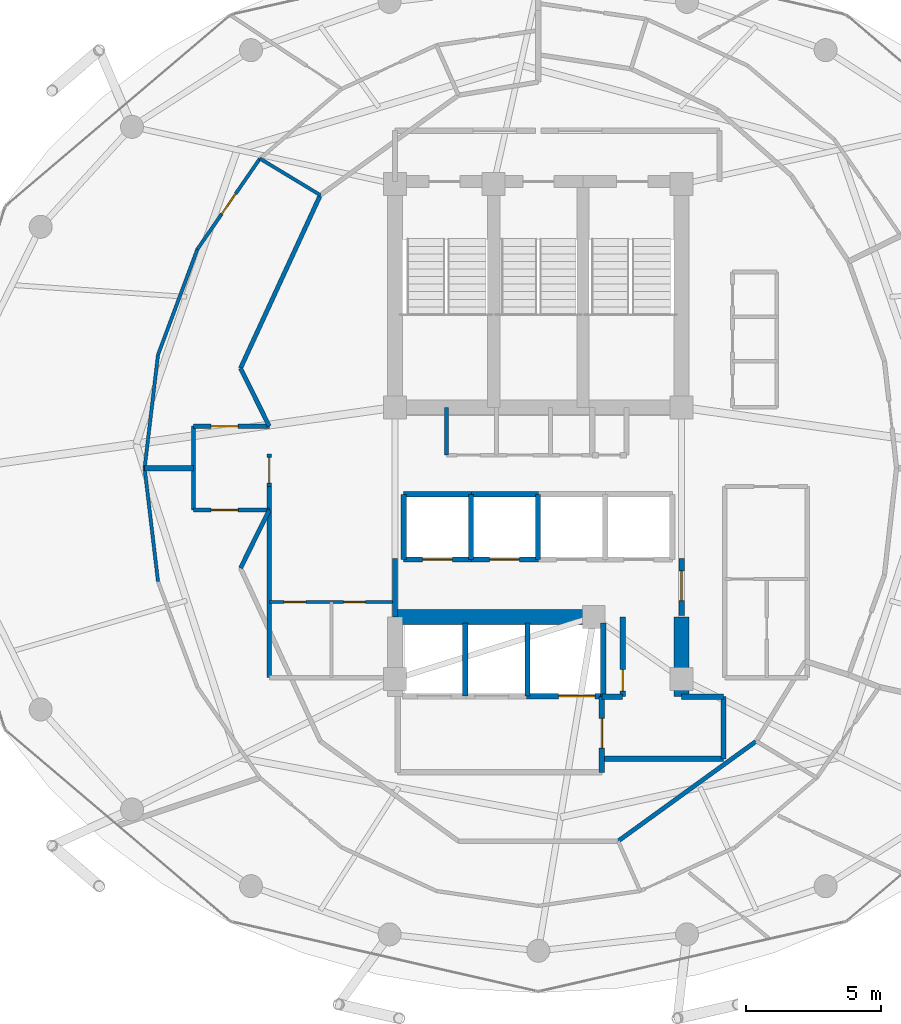
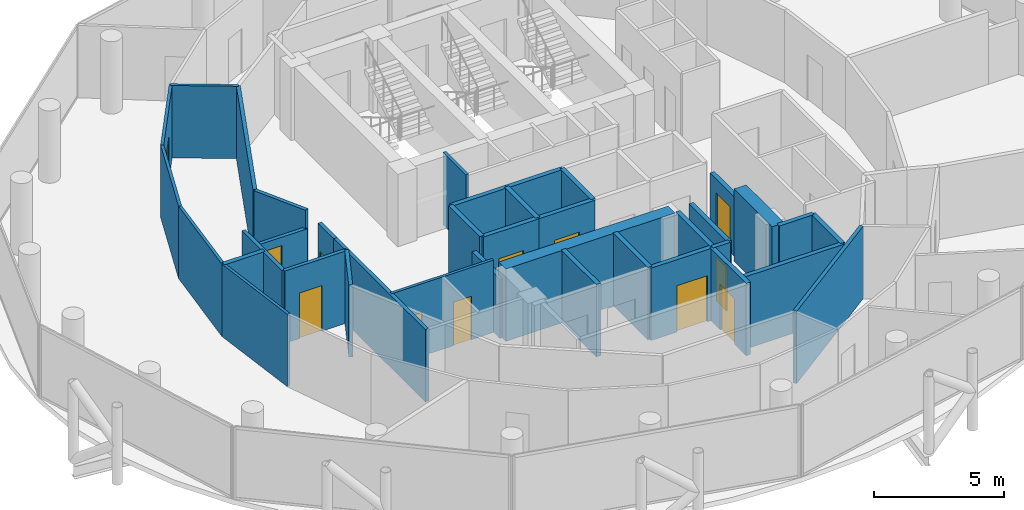
# One storey, part 23 of 27: 38 walls, 12 doors, 12 openings.
"""IFC4 building model written with IfcOpenShell, lengths in metres."""

from ifc_helpers import new_model, si_unit, direction, frame, frame_2d, origin, place, context, subcontext, project, spatial, rectangle, extrude, material, layer, layer_set, type_object, element, fill, save


model = new_model("IFC4")

# Units and contexts
model_context = context("Model", 3, precision=1e-05, world=origin(), true_north=direction((0.0, 1.0)))
body_context = subcontext(model_context, "Body", "Model", "MODEL_VIEW")
ifc_project = project(units=[si_unit("LENGTHUNIT", "METRE"), si_unit("AREAUNIT", "SQUARE_METRE"), si_unit("VOLUMEUNIT", "CUBIC_METRE"), si_unit("PLANEANGLEUNIT", "RADIAN"), si_unit("MASSUNIT", "GRAM", prefix="KILO")], contexts=[model_context])

# Site, building, storey
site_placement = place(None, origin())
site = spatial("IfcSite", under=ifc_project, at=site_placement, CompositionType="ELEMENT")
building_placement = place(site_placement, origin())
building = spatial("IfcBuilding", under=site, at=building_placement, Name="Nuhasar Tower", CompositionType="ELEMENT")
storey_placement = place(building_placement, frame((0.0, 0.0, 230.050048828125)))
storey = spatial("IfcBuildingStorey", under=building, at=storey_placement, Name="L56", CompositionType="ELEMENT", Elevation=230.050048828125)

# Walls
ifc_material_1 = material(Name="Concrete C55/67", Category="concrete")
ifc_layer_1 = layer(ifc_material_1, 0.550048828125)
ifc_layer_set_1 = layer_set([ifc_layer_1], Name="Concrete C55/67")
wall_type_1 = type_object("IfcWallType", Name="WL-CORE-550", PredefinedType="SHEAR", material=ifc_layer_set_1)
wall_1_placement = place(storey_placement, frame((44.300048828125, 18.35009765625, 0.0), z_axis=(0.0, 0.0, 1.0), x_axis=(0.0, 1.0, 0.0)))
element("IfcWall", 1, at=wall_1_placement, inside=storey, type_object=wall_type_1, Name="L56 Core Shear Wall CW-SE CW-550", PredefinedType="SHEAR", context=body_context, shape_type="SweptSolid", body=[
    extrude(rectangle(XDim=2.949951171875, YDim=0.550048828125, at=frame_2d((1.47509765625, 0.0))), origin(), (0.0, 0.0, 1.0), 3.409912109375),
])
wall_2_placement = place(storey_placement, frame((33.699951171875, 21.300048828125, 0.0), z_axis=(0.0, 0.0, 1.0), x_axis=(1.0, 0.0, 0.0)))
element("IfcWall", 2, at=wall_2_placement, inside=storey, type_object=wall_type_1, Name="L56 Core Shear Wall CW-S1 CW-550", PredefinedType="SHEAR", context=body_context, shape_type="SweptSolid", body=[
    extrude(rectangle(XDim=7.550048828125, YDim=0.550048828125, at=frame_2d((3.77490234375, 0.0))), origin(), (0.0, 0.0, 1.0), 3.409912109375),
])
ifc_material_2 = material(Name="Gypsum Board", Category="gypsum")
ifc_layer_2 = layer(ifc_material_2, 0.159912109375)
ifc_layer_set_2 = layer_set([ifc_layer_2], Name="Gypsum Board")
wall_type_2 = type_object("IfcWallType", Name="WL-CORR-160", PredefinedType="PARTITIONING", material=ifc_layer_set_2)
wall_3_placement = place(storey_placement, frame((29.050048828125, 19.050048828125, 0.0), z_axis=(0.0, 0.0, 1.0), x_axis=(0.0, 1.0, 0.0)))
element("IfcWall", 3, at=wall_3_placement, inside=storey, type_object=wall_type_2, Name="L56 Interior Partition RECL-B1-W", PredefinedType="PARTITIONING", context=body_context, shape_type="SweptSolid", body=[
    extrude(rectangle(XDim=7.070068359375, YDim=0.159912109375, at=frame_2d((3.53515625, 0.0))), origin(), (0.0, 0.0, 1.0), 3.409912109375),
])

# Wall, opening, door
wall_4_placement = place(storey_placement, frame((29.050048828125, 26.1201171875, 0.0), z_axis=(0.0, 0.0, 1.0), x_axis=(0.0, 1.0, 0.0)))
wall_4 = element("IfcWall", 4, at=wall_4_placement, inside=storey, type_object=wall_type_2, Name="L56 Interior Partition WVEST-E", PredefinedType="PARTITIONING", context=body_context, shape_type="SweptSolid", body=[
    extrude(rectangle(XDim=1.199951171875, YDim=0.159912109375, at=frame_2d((0.60009765625, 0.0))), origin(), (0.0, 0.0, 1.0), 3.409912109375),
])
opening_1_placement = place(wall_4_placement, frame((0.125, 0.0, 0.0)))
opening_1 = element("IfcOpeningElement", 5, at=opening_1_placement, cuts=wall_4, Name="Opening DO-01", PredefinedType="OPENING", context=body_context, shape_type="SweptSolid", body=[
    extrude(rectangle(XDim=0.949951171875, YDim=2.14990234375, at=frame_2d((0.47509765625, 1.074951171875))), frame((0.0, 0.08984375, 0.0), z_axis=(0.0, -1.0, 0.0), x_axis=(1.0, 0.0, 0.0)), (0.0, 0.0, 1.0), 0.179931640625),
])
ifc_material_3 = material(Name="Timber Oak", Category="wood")
door_type_1 = type_object("IfcDoorType", Name="DR-OFFICE-FD30-950", OperationType="NOTDEFINED", PredefinedType="DOOR", material=ifc_material_3)
door_1_placement = place(opening_1_placement, origin())
door_1 = element("IfcDoor", 6, at=door_1_placement, inside=storey, type_object=door_type_1, Name="L56 West Arrival Foyer Core Door", OperationType="SINGLE_SWING_RIGHT", OverallHeight=2.14990234375, OverallWidth=0.949951171875, PredefinedType="DOOR", context=body_context, shape_type="SweptSolid", body=[
    extrude(rectangle(XDim=0.949951171875, YDim=2.14990234375, at=frame_2d((0.47509765625, 1.074951171875))), frame((0.0, 0.02490234375, 0.0), z_axis=(0.0, -1.0, 0.0), x_axis=(1.0, 0.0, 0.0)), (0.0, 0.0, 1.0), 0.050048828125),
])
fill(opening_1, door_1)

# Walls
wall_5_placement = place(storey_placement, frame((30.93896484375, 36.89697265625, 0.0), z_axis=(0.0, 0.0, 1.0), x_axis=(-0.41866934876, -0.908138742929, 0.0)))
element("IfcWall", 7, at=wall_5_placement, inside=storey, type_object=wall_type_2, Name="L56 Interior Partition UWEST-CORE-N2-18", PredefinedType="PARTITIONING", context=body_context, shape_type="SweptSolid", body=[
    extrude(rectangle(XDim=7.04833984375, YDim=0.159912109375, at=frame_2d((3.524169921875, 0.0))), origin(), (0.0, 0.0, 1.0), 3.409912109375),
])
wall_6_placement = place(storey_placement, frame((41.950927734375, 13.007080078125, 0.0), z_axis=(0.0, 0.0, 1.0), x_axis=(0.810290119061, 0.586028943784, 0.0)))
element("IfcWall", 8, at=wall_6_placement, inside=storey, type_object=wall_type_2, Name="L56 Interior Partition UWEST-CORE-S1-38", PredefinedType="PARTITIONING", context=body_context, shape_type="SweptSolid", body=[
    extrude(rectangle(XDim=6.306396484375, YDim=0.159912109375, at=frame_2d((3.1533203125, 0.0))), origin(), (0.0, 0.0, 1.0), 3.409912109375),
])

# Wall, opening, door
wall_7_placement = place(storey_placement, frame((26.25, 28.35009765625, 0.0), z_axis=(0.0, 0.0, 1.0), x_axis=(1.0, 0.0, 0.0)))
wall_7 = element("IfcWall", 9, at=wall_7_placement, inside=storey, type_object=wall_type_2, Name="L56 Interior Partition WVEST-N", PredefinedType="PARTITIONING", context=body_context, shape_type="SweptSolid", body=[
    extrude(rectangle(XDim=2.800048828125, YDim=0.159912109375, at=frame_2d((1.39990234375, 0.0))), origin(), (0.0, 0.0, 1.0), 2.550048828125),
])
opening_2_placement = place(wall_7_placement, frame((0.64990234375, 0.0, 0.0)))
opening_2 = element("IfcOpeningElement", 10, at=opening_2_placement, cuts=wall_7, Name="Opening DU-02", PredefinedType="OPENING", context=body_context, shape_type="SweptSolid", body=[
    extrude(rectangle(XDim=1.0, YDim=2.14990234375, at=frame_2d((0.5, 1.074951171875))), frame((0.0, 0.08984375, 0.0), z_axis=(0.0, -1.0, 0.0), x_axis=(1.0, 0.0, 0.0)), (0.0, 0.0, 1.0), 0.179931640625),
])
door_type_2 = type_object("IfcDoorType", Name="DR-FLAT-FD60-1000", OperationType="NOTDEFINED", PredefinedType="DOOR", material=ifc_material_3)
door_2_placement = place(opening_2_placement, origin())
door_2 = element("IfcDoor", 11, at=door_2_placement, inside=storey, type_object=door_type_2, Name="L56 North-West Sky Home Entrance", OperationType="SINGLE_SWING_LEFT", OverallHeight=2.14990234375, OverallWidth=1.0, PredefinedType="DOOR", context=body_context, shape_type="SweptSolid", body=[
    extrude(rectangle(XDim=1.0, YDim=2.14990234375, at=frame_2d((0.5, 1.074951171875))), frame((0.0, 0.02490234375, 0.0), z_axis=(0.0, -1.0, 0.0), x_axis=(1.0, 0.0, 0.0)), (0.0, 0.0, 1.0), 0.050048828125),
])
fill(opening_2, door_2)

wall_8_placement = place(storey_placement, frame((26.25, 25.25, 0.0), z_axis=(0.0, 0.0, 1.0), x_axis=(1.0, 0.0, 0.0)))
wall_8 = element("IfcWall", 12, at=wall_8_placement, inside=storey, type_object=wall_type_2, Name="L56 Interior Partition WVEST-S", PredefinedType="PARTITIONING", context=body_context, shape_type="SweptSolid", body=[
    extrude(rectangle(XDim=2.800048828125, YDim=0.159912109375, at=frame_2d((1.39990234375, 0.0))), origin(), (0.0, 0.0, 1.0), 3.409912109375),
])
opening_3_placement = place(wall_8_placement, frame((0.64990234375, 0.0, 0.0)))
opening_3 = element("IfcOpeningElement", 13, at=opening_3_placement, cuts=wall_8, Name="Opening DU-02", PredefinedType="OPENING", context=body_context, shape_type="SweptSolid", body=[
    extrude(rectangle(XDim=1.0, YDim=2.14990234375, at=frame_2d((0.5, 1.074951171875))), frame((0.0, 0.08984375, 0.0), z_axis=(0.0, -1.0, 0.0), x_axis=(1.0, 0.0, 0.0)), (0.0, 0.0, 1.0), 0.179931640625),
])
door_3_placement = place(opening_3_placement, origin())
door_3 = element("IfcDoor", 14, at=door_3_placement, inside=storey, type_object=door_type_2, Name="L56 South-West Sky Home Entrance", OperationType="SINGLE_SWING_LEFT", OverallHeight=2.14990234375, OverallWidth=1.0, PredefinedType="DOOR", context=body_context, shape_type="SweptSolid", body=[
    extrude(rectangle(XDim=1.0, YDim=2.14990234375, at=frame_2d((0.5, 1.074951171875))), frame((0.0, 0.02490234375, 0.0), z_axis=(0.0, -1.0, 0.0), x_axis=(1.0, 0.0, 0.0)), (0.0, 0.0, 1.0), 0.050048828125),
])
fill(opening_3, door_3)

# Walls
wall_9_placement = place(storey_placement, frame((26.25, 25.25, 0.0), z_axis=(0.0, 0.0, 1.0), x_axis=(0.0, 1.0, 0.0)))
element("IfcWall", 15, at=wall_9_placement, inside=storey, type_object=wall_type_2, Name="L56 Interior Partition WVEST-W", PredefinedType="PARTITIONING", context=body_context, shape_type="SweptSolid", body=[
    extrude(rectangle(XDim=3.10009765625, YDim=0.159912109375, at=frame_2d((1.550048828125, 0.0))), origin(), (0.0, 0.0, 1.0), 3.409912109375),
])
for number, where, z_axis, x_axis, name in (
    (16, (27.988037109375, 30.49609375, 0.0), (0.0, 0.0, 1.0), (0.443539160525, -0.896254993337, 0.0), "L56 Interior Partition WVEST-CN"),
    (17, (27.988037109375, 23.10400390625, 0.0), (0.0, 0.0, 1.0), (0.443539160525, 0.896254993337, 0.0), "L56 Interior Partition WVEST-CS"),
):
    element("IfcWall", number, at=place(storey_placement, frame(where, z_axis=z_axis, x_axis=x_axis)), inside=storey, type_object=wall_type_2, Name=name, PredefinedType="PARTITIONING", context=body_context, shape_type="SweptSolid", body=[
        extrude(rectangle(XDim=2.394287109375, YDim=0.159912109375, at=frame_2d((1.197265625, 0.0))), origin(), (0.0, 0.0, 1.0), 3.409912109375),
    ])
ifc_material_4 = material(Name="Concrete C45/55", Category="concrete")
ifc_layer_3 = layer(ifc_material_4, 0.199951171875)
ifc_layer_set_3 = layer_set([ifc_layer_3], Name="Concrete C45/55")
wall_type_3 = type_object("IfcWallType", Name="WL-LOBBY-200", PredefinedType="SOLIDWALL", material=ifc_layer_set_3)
wall_10_placement = place(storey_placement, frame((33.699951171875, 21.300048828125, 0.0), z_axis=(0.0, 0.0, 1.0), x_axis=(0.0, 1.0, 0.0)))
element("IfcWall", 18, at=wall_10_placement, inside=storey, type_object=wall_type_3, Name="L56 Interior Partition LLBH-W", PredefinedType="SOLIDWALL", context=body_context, shape_type="SweptSolid", body=[
    extrude(rectangle(XDim=2.14990234375, YDim=0.199951171875, at=frame_2d((1.074951171875, 0.0))), origin(), (0.0, 0.0, 1.0), 2.794921875),
])

# Wall, opening, door
wall_11_placement = place(storey_placement, frame((44.300048828125, 21.35009765625, 0.0), z_axis=(0.0, 0.0, 1.0), x_axis=(0.0, 1.0, 0.0)))
wall_11 = element("IfcWall", 19, at=wall_11_placement, inside=storey, type_object=wall_type_3, Name="L56 Interior Partition LLBH-E", PredefinedType="SOLIDWALL", context=body_context, shape_type="SweptSolid", body=[
    extrude(rectangle(XDim=2.099853515625, YDim=0.199951171875, at=frame_2d((1.0498046875, 0.0))), origin(), (0.0, 0.0, 1.0), 2.794921875),
])
opening_4_placement = place(wall_11_placement, frame((0.550048828125, 0.0, 0.0)))
opening_4 = element("IfcOpeningElement", 20, at=opening_4_placement, cuts=wall_11, Name="Opening DS-02", PredefinedType="OPENING", context=body_context, shape_type="SweptSolid", body=[
    extrude(rectangle(XDim=1.10009765625, YDim=2.14990234375, at=frame_2d((0.550048828125, 1.074951171875))), frame((0.0, 0.10986328125, 0.0), z_axis=(0.0, -1.0, 0.0), x_axis=(1.0, 0.0, 0.0)), (0.0, 0.0, 1.0), 0.219970703125),
])
ifc_material_5 = material(Name="Steel S355", Category="steel")
door_type_3 = type_object("IfcDoorType", Name="DR-FFL-FD120-1100", OperationType="NOTDEFINED", PredefinedType="DOOR", material=ifc_material_5)
door_4_placement = place(opening_4_placement, origin())
door_4 = element("IfcDoor", 21, at=door_4_placement, inside=storey, type_object=door_type_3, Name="L56 High-Rise Lobby East Door", OperationType="SINGLE_SWING_RIGHT", OverallHeight=2.14990234375, OverallWidth=1.10009765625, PredefinedType="DOOR", context=body_context, shape_type="SweptSolid", body=[
    extrude(rectangle(XDim=1.10009765625, YDim=2.14990234375, at=frame_2d((0.550048828125, 1.074951171875))), frame((0.0, 0.02490234375, 0.0), z_axis=(0.0, -1.0, 0.0), x_axis=(1.0, 0.0, 0.0)), (0.0, 0.0, 1.0), 0.050048828125),
])
fill(opening_4, door_4)

wall_12_placement = place(storey_placement, frame((41.35009765625, 15.550048828125, 0.0), z_axis=(0.0, 0.0, 1.0), x_axis=(0.0, 1.0, 0.0)))
wall_12 = element("IfcWall", 22, at=wall_12_placement, inside=storey, type_object=wall_type_3, Name="L56 Interior Partition FFL-E", PredefinedType="SOLIDWALL", context=body_context, shape_type="SweptSolid", body=[
    extrude(rectangle(XDim=2.800048828125, YDim=0.199951171875, at=frame_2d((1.39990234375, 0.0))), origin(), (0.0, 0.0, 1.0), 3.409912109375),
])
opening_5_placement = place(wall_12_placement, frame((0.89990234375, 0.0, 0.0)))
opening_5 = element("IfcOpeningElement", 23, at=opening_5_placement, cuts=wall_12, Name="Opening DS-02", PredefinedType="OPENING", context=body_context, shape_type="SweptSolid", body=[
    extrude(rectangle(XDim=1.10009765625, YDim=2.14990234375, at=frame_2d((0.550048828125, 1.074951171875))), frame((0.0, 0.10986328125, 0.0), z_axis=(0.0, -1.0, 0.0), x_axis=(1.0, 0.0, 0.0)), (0.0, 0.0, 1.0), 0.219970703125),
])
door_5_placement = place(opening_5_placement, origin())
door_5 = element("IfcDoor", 24, at=door_5_placement, inside=storey, type_object=door_type_3, Name="L56 Firefighting Lobby Door", OperationType="SINGLE_SWING_RIGHT", OverallHeight=2.14990234375, OverallWidth=1.10009765625, PredefinedType="DOOR", context=body_context, shape_type="SweptSolid", body=[
    extrude(rectangle(XDim=1.10009765625, YDim=2.14990234375, at=frame_2d((0.550048828125, 1.074951171875))), frame((0.0, 0.02490234375, 0.0), z_axis=(0.0, -1.0, 0.0), x_axis=(1.0, 0.0, 0.0)), (0.0, 0.0, 1.0), 0.050048828125),
])
fill(opening_5, door_5)

# Walls
wall_13_placement = place(storey_placement, frame((41.35009765625, 16.050048828125, 0.0), z_axis=(0.0, 0.0, 1.0), x_axis=(1.0, 0.0, 0.0)))
element("IfcWall", 25, at=wall_13_placement, inside=storey, type_object=wall_type_3, Name="L56 Interior Partition SVLV-S", PredefinedType="SOLIDWALL", context=body_context, shape_type="SweptSolid", body=[
    extrude(rectangle(XDim=4.5, YDim=0.199951171875, at=frame_2d((2.25, 0.0))), origin(), (0.0, 0.0, 1.0), 3.409912109375),
])
wall_14_placement = place(storey_placement, frame((45.85009765625, 16.050048828125, 0.0), z_axis=(0.0, 0.0, 1.0), x_axis=(0.0, 1.0, 0.0)))
element("IfcWall", 26, at=wall_14_placement, inside=storey, type_object=wall_type_3, Name="L56 Interior Partition SVLV-E", PredefinedType="SOLIDWALL", context=body_context, shape_type="SweptSolid", body=[
    extrude(rectangle(XDim=2.300048828125, YDim=0.199951171875, at=frame_2d((1.14990234375, 0.0))), origin(), (0.0, 0.0, 1.0), 3.409912109375),
])
wall_15_placement = place(storey_placement, frame((44.300048828125, 18.35009765625, 0.0), z_axis=(0.0, 0.0, 1.0), x_axis=(1.0, 0.0, 0.0)))
element("IfcWall", 27, at=wall_15_placement, inside=storey, type_object=wall_type_3, Name="L56 Interior Partition SVLV-N", PredefinedType="SOLIDWALL", context=body_context, shape_type="SweptSolid", body=[
    extrude(rectangle(XDim=1.550048828125, YDim=0.199951171875, at=frame_2d((0.77490234375, 0.0))), origin(), (0.0, 0.0, 1.0), 3.409912109375),
])

# Wall, openings, doors
ifc_layer_4 = layer(ifc_material_2, 0.125)
ifc_layer_set_4 = layer_set([ifc_layer_4], Name="Gypsum Board")
wall_type_4 = type_object("IfcWallType", Name="WL-PART-125", PredefinedType="PARTITIONING", material=ifc_layer_set_4)
wall_16_placement = place(storey_placement, frame((33.60009765625, 21.85009765625, 0.0), z_axis=(0.0, 0.0, 1.0), x_axis=(-1.0, 0.0, 0.0)))
wall_16 = element("IfcWall", 28, at=wall_16_placement, inside=storey, type_object=wall_type_4, Name="L56 Interior Partition HKPK1-N", PredefinedType="PARTITIONING", context=body_context, shape_type="SweptSolid", body=[
    extrude(rectangle(XDim=4.550048828125, YDim=0.125, at=frame_2d((2.27490234375, 0.0))), origin(), (0.0, 0.0, 1.0), 3.409912109375),
])
opening_6_placement = place(wall_16_placement, frame((3.199951171875, 0.0, 0.0)))
opening_6 = element("IfcOpeningElement", 29, at=opening_6_placement, cuts=wall_16, Name="Opening DM-01", PredefinedType="OPENING", context=body_context, shape_type="SweptSolid", body=[
    extrude(rectangle(XDim=0.800048828125, YDim=2.050048828125, at=frame_2d((0.39990234375, 1.02490234375))), frame((0.0, 0.072509765625, 0.0), z_axis=(0.0, -1.0, 0.0), x_axis=(1.0, 0.0, 0.0)), (0.0, 0.0, 1.0), 0.14501953125),
])
opening_7_placement = place(wall_16_placement, frame((1.0, 0.0, 0.0)))
opening_7 = element("IfcOpeningElement", 30, at=opening_7_placement, cuts=wall_16, Name="Opening DM-01", PredefinedType="OPENING", context=body_context, shape_type="SweptSolid", body=[
    extrude(rectangle(XDim=0.800048828125, YDim=2.050048828125, at=frame_2d((0.39990234375, 1.02490234375))), frame((0.0, 0.072509765625, 0.0), z_axis=(0.0, -1.0, 0.0), x_axis=(1.0, 0.0, 0.0)), (0.0, 0.0, 1.0), 0.14501953125),
])
door_type_4 = type_object("IfcDoorType", Name="DR-RISER-FD60-800", OperationType="NOTDEFINED", PredefinedType="DOOR", material=ifc_material_5)
door_6_placement = place(opening_6_placement, origin())
door_6 = element("IfcDoor", 31, at=door_6_placement, inside=storey, type_object=door_type_4, Name="L56 Housekeeping Closet Door", OperationType="SINGLE_SWING_RIGHT", OverallHeight=2.050048828125, OverallWidth=0.800048828125, PredefinedType="DOOR", context=body_context, shape_type="SweptSolid", body=[
    extrude(rectangle(XDim=0.800048828125, YDim=2.050048828125, at=frame_2d((0.39990234375, 1.02490234375))), frame((0.0, 0.02490234375, 0.0), z_axis=(0.0, -1.0, 0.0), x_axis=(1.0, 0.0, 0.0)), (0.0, 0.0, 1.0), 0.050048828125),
])
fill(opening_6, door_6)
door_7_placement = place(opening_7_placement, origin())
door_7 = element("IfcDoor", 32, at=door_7_placement, inside=storey, type_object=door_type_4, Name="L56 Linen Store Door", OperationType="SINGLE_SWING_LEFT", OverallHeight=2.050048828125, OverallWidth=0.800048828125, PredefinedType="DOOR", context=body_context, shape_type="SweptSolid", body=[
    extrude(rectangle(XDim=0.800048828125, YDim=2.050048828125, at=frame_2d((0.39990234375, 1.02490234375))), frame((0.0, 0.02490234375, 0.0), z_axis=(0.0, -1.0, 0.0), x_axis=(1.0, 0.0, 0.0)), (0.0, 0.0, 1.0), 0.050048828125),
])
fill(opening_7, door_7)

# Wall
wall_17_placement = place(storey_placement, frame((30.93896484375, 36.89697265625, 0.0), z_axis=(0.0, 0.0, 1.0), x_axis=(-0.855672275727, 0.517518073647, 0.0)))
element("IfcWall", 33, at=wall_17_placement, inside=storey, type_object=wall_type_4, Name="L56 Interior Partition USI-1-KD", PredefinedType="PARTITIONING", context=body_context, shape_type="SweptSolid", body=[
    extrude(rectangle(XDim=2.610595703125, YDim=0.125, at=frame_2d((1.30517578125, 0.0))), origin(), (0.0, 0.0, 1.0), 3.409912109375),
])

# Wall, opening, door
wall_18_placement = place(storey_placement, frame((26.39111328125, 34.89501953125, 0.0), z_axis=(0.0, 0.0, 1.0), x_axis=(0.567987799291, 0.823036973566, 0.0)))
wall_18 = element("IfcWall", 34, at=wall_18_placement, inside=storey, type_object=wall_type_4, Name="L56 Interior Partition USM-1-D-18", PredefinedType="PARTITIONING", context=body_context, shape_type="SweptSolid", body=[
    extrude(rectangle(XDim=4.073974609375, YDim=0.125, at=frame_2d((2.037109375, 0.0))), origin(), (0.0, 0.0, 1.0), 3.409912109375),
])
opening_8_placement = place(wall_18_placement, frame((1.5869140625, 0.0, 0.0)))
opening_8 = element("IfcOpeningElement", 35, at=opening_8_placement, cuts=wall_18, Name="Opening DR-01", PredefinedType="OPENING", context=body_context, shape_type="SweptSolid", body=[
    extrude(rectangle(XDim=0.89990234375, YDim=2.10009765625, at=frame_2d((0.449951171875, 1.050048828125))), frame((0.0, 0.072509765625, 0.0), z_axis=(0.0, -1.0, 0.0), x_axis=(1.0, 0.0, 0.0)), (0.0, 0.0, 1.0), 0.14501953125),
])
door_type_5 = type_object("IfcDoorType", Name="DR-ROOM-900", OperationType="NOTDEFINED", PredefinedType="DOOR", material=ifc_material_3)
door_8_placement = place(opening_8_placement, origin())
door_8 = element("IfcDoor", 36, at=door_8_placement, inside=storey, type_object=door_type_5, Name="L56 North-West Sky Home Living Door", OperationType="SINGLE_SWING_LEFT", OverallHeight=2.10009765625, OverallWidth=0.89990234375, PredefinedType="DOOR", context=body_context, shape_type="SweptSolid", body=[
    extrude(rectangle(XDim=0.89990234375, YDim=2.10009765625, at=frame_2d((0.449951171875, 1.050048828125))), frame((0.0, 0.02490234375, 0.0), z_axis=(0.0, -1.0, 0.0), x_axis=(1.0, 0.0, 0.0)), (0.0, 0.0, 1.0), 0.050048828125),
])
fill(opening_8, door_8)

# Walls
wall_19_placement = place(storey_placement, frame((26.39111328125, 34.89501953125, 0.0), z_axis=(0.0, 0.0, 1.0), x_axis=(-0.349164501946, -0.9370614444, 0.0)))
element("IfcWall", 37, at=wall_19_placement, inside=storey, type_object=wall_type_4, Name="L56 Interior Partition USM-1-D-20", PredefinedType="PARTITIONING", context=body_context, shape_type="SweptSolid", body=[
    extrude(rectangle(XDim=4.167236328125, YDim=0.125, at=frame_2d((2.08349609375, 0.0))), origin(), (0.0, 0.0, 1.0), 3.409912109375),
])
for number, where, z_axis, x_axis, name in (
    (38, (24.93603515625, 30.989990234375, 0.0), (0.0, 0.0, 1.0), (-0.117579821671, -0.9930634348, 0.0), "L56 Interior Partition USM-1-D-22"),
    (39, (24.43994140625, 26.800048828125, 0.0), (0.0, 0.0, 1.0), (0.117579821671, -0.9930634348, 0.0), "L56 Interior Partition USM-1-D-24"),
):
    element("IfcWall", number, at=place(storey_placement, frame(where, z_axis=z_axis, x_axis=x_axis)), inside=storey, type_object=wall_type_4, Name=name, PredefinedType="PARTITIONING", context=body_context, shape_type="SweptSolid", body=[
        extrude(rectangle(XDim=4.21923828125, YDim=0.125, at=frame_2d((2.109619140625, 0.0))), origin(), (0.0, 0.0, 1.0), 3.409912109375),
    ])

# Wall, opening, door
ifc_layer_5 = layer(ifc_material_4, 0.199951171875)
ifc_layer_set_5 = layer_set([ifc_layer_5], Name="Concrete C45/55")
wall_type_5 = type_object("IfcWallType", Name="WL-SHAFT-200", PredefinedType="SOLIDWALL", material=ifc_layer_set_5)
wall_20_placement = place(storey_placement, frame((34.02001953125, 23.419921875, 0.0), z_axis=(0.0, 0.0, 1.0), x_axis=(1.0, 0.0, 0.0)))
wall_20 = element("IfcWall", 40, at=wall_20_placement, inside=storey, type_object=wall_type_5, Name="L56 Interior Partition SHF-PL-H01-S", PredefinedType="SOLIDWALL", context=body_context, shape_type="SweptSolid", body=[
    extrude(rectangle(XDim=2.5, YDim=0.199951171875, at=frame_2d((1.25, 0.0))), origin(), (0.0, 0.0, 1.0), 3.409912109375),
])
opening_9_placement = place(wall_20_placement, frame((0.699951171875, 0.0, 0.0)))
opening_9 = element("IfcOpeningElement", 41, at=opening_9_placement, cuts=wall_20, Name="Opening LD-H01", PredefinedType="OPENING", context=body_context, shape_type="SweptSolid", body=[
    extrude(rectangle(XDim=1.10009765625, YDim=2.14990234375, at=frame_2d((0.550048828125, 1.074951171875))), frame((0.0, 0.10986328125, 0.0), z_axis=(0.0, -1.0, 0.0), x_axis=(1.0, 0.0, 0.0)), (0.0, 0.0, 1.0), 0.219970703125),
])
ifc_material_6 = material(Name="Stainless Steel 316L", Category="steel")
door_type_6 = type_object("IfcDoorType", Name="LD-PAX-1100", OperationType="DOUBLE_DOOR_SLIDING", PredefinedType="DOOR", material=ifc_material_6)
door_9_placement = place(opening_9_placement, origin())
door_9 = element("IfcDoor", 42, at=door_9_placement, inside=storey, type_object=door_type_6, Name="L56 Lift Landing Door PL-H01", OperationType="DOUBLE_DOOR_SLIDING", OverallHeight=2.14990234375, OverallWidth=1.10009765625, PredefinedType="DOOR", context=body_context, shape_type="SweptSolid", body=[
    extrude(rectangle(XDim=1.10009765625, YDim=2.14990234375, at=frame_2d((0.550048828125, 1.074951171875))), frame((0.0, 0.02490234375, 0.0), z_axis=(0.0, -1.0, 0.0), x_axis=(1.0, 0.0, 0.0)), (0.0, 0.0, 1.0), 0.050048828125),
])
fill(opening_9, door_9)

# Walls
wall_21_placement = place(storey_placement, frame((34.02001953125, 25.830078125, 0.0), z_axis=(0.0, 0.0, 1.0), x_axis=(1.0, 0.0, 0.0)))
element("IfcWall", 43, at=wall_21_placement, inside=storey, type_object=wall_type_5, Name="L56 Interior Partition SHF-PL-H01-N", PredefinedType="SOLIDWALL", context=body_context, shape_type="SweptSolid", body=[
    extrude(rectangle(XDim=2.5, YDim=0.199951171875, at=frame_2d((1.25, 0.0))), origin(), (0.0, 0.0, 1.0), 3.409912109375),
])
for number, where, z_axis, x_axis, name in (
    (44, (34.02001953125, 23.419921875, 0.0), (0.0, 0.0, 1.0), (0.0, 1.0, 0.0), "L56 Interior Partition SHF-PL-H01-W"),
    (45, (36.510009765625, 23.419921875, 0.0), (0.0, 0.0, 1.0), (0.0, 1.0, 0.0), "L56 Interior Partition SHF-PL-H01-E"),
):
    element("IfcWall", number, at=place(storey_placement, frame(where, z_axis=z_axis, x_axis=x_axis)), inside=storey, type_object=wall_type_5, Name=name, PredefinedType="SOLIDWALL", context=body_context, shape_type="SweptSolid", body=[
        extrude(rectangle(XDim=2.41015625, YDim=0.199951171875, at=frame_2d((1.205078125, 0.0))), origin(), (0.0, 0.0, 1.0), 3.409912109375),
    ])

# Wall, opening, door
wall_22_placement = place(storey_placement, frame((36.5, 23.419921875, 0.0), z_axis=(0.0, 0.0, 1.0), x_axis=(1.0, 0.0, 0.0)))
wall_22 = element("IfcWall", 46, at=wall_22_placement, inside=storey, type_object=wall_type_5, Name="L56 Interior Partition SHF-PL-H02-S", PredefinedType="SOLIDWALL", context=body_context, shape_type="SweptSolid", body=[
    extrude(rectangle(XDim=2.5, YDim=0.199951171875, at=frame_2d((1.25, 0.0))), origin(), (0.0, 0.0, 1.0), 3.409912109375),
])
opening_10_placement = place(wall_22_placement, frame((0.699951171875, 0.0, 0.0)))
opening_10 = element("IfcOpeningElement", 47, at=opening_10_placement, cuts=wall_22, Name="Opening LD-H02", PredefinedType="OPENING", context=body_context, shape_type="SweptSolid", body=[
    extrude(rectangle(XDim=1.10009765625, YDim=2.14990234375, at=frame_2d((0.550048828125, 1.074951171875))), frame((0.0, 0.10986328125, 0.0), z_axis=(0.0, -1.0, 0.0), x_axis=(1.0, 0.0, 0.0)), (0.0, 0.0, 1.0), 0.219970703125),
])
door_10_placement = place(opening_10_placement, origin())
door_10 = element("IfcDoor", 48, at=door_10_placement, inside=storey, type_object=door_type_6, Name="L56 Lift Landing Door PL-H02", OperationType="DOUBLE_DOOR_SLIDING", OverallHeight=2.14990234375, OverallWidth=1.10009765625, PredefinedType="DOOR", context=body_context, shape_type="SweptSolid", body=[
    extrude(rectangle(XDim=1.10009765625, YDim=2.14990234375, at=frame_2d((0.550048828125, 1.074951171875))), frame((0.0, 0.02490234375, 0.0), z_axis=(0.0, -1.0, 0.0), x_axis=(1.0, 0.0, 0.0)), (0.0, 0.0, 1.0), 0.050048828125),
])
fill(opening_10, door_10)

# Walls
wall_23_placement = place(storey_placement, frame((36.5, 25.830078125, 0.0), z_axis=(0.0, 0.0, 1.0), x_axis=(1.0, 0.0, 0.0)))
element("IfcWall", 49, at=wall_23_placement, inside=storey, type_object=wall_type_5, Name="L56 Interior Partition SHF-PL-H02-N", PredefinedType="SOLIDWALL", context=body_context, shape_type="SweptSolid", body=[
    extrude(rectangle(XDim=2.5, YDim=0.199951171875, at=frame_2d((1.25, 0.0))), origin(), (0.0, 0.0, 1.0), 3.409912109375),
])
wall_24_placement = place(storey_placement, frame((38.989990234375, 23.419921875, 0.0), z_axis=(0.0, 0.0, 1.0), x_axis=(0.0, 1.0, 0.0)))
element("IfcWall", 50, at=wall_24_placement, inside=storey, type_object=wall_type_5, Name="L56 Interior Partition SHF-PL-H02-E", PredefinedType="SOLIDWALL", context=body_context, shape_type="SweptSolid", body=[
    extrude(rectangle(XDim=2.41015625, YDim=0.199951171875, at=frame_2d((1.205078125, 0.0))), origin(), (0.0, 0.0, 1.0), 3.409912109375),
])
for number, where, z_axis, x_axis, name in (
    (51, (36.300048828125, 18.3701171875, 0.0), (0.0, 0.0, 1.0), (0.0, 1.0, 0.0), "L56 Interior Partition SHF-FFL-01-E"),
    (52, (38.60009765625, 18.3701171875, 0.0), (0.0, 0.0, 1.0), (0.0, 1.0, 0.0), "L56 Interior Partition SHF-FFL-02-E"),
):
    element("IfcWall", number, at=place(storey_placement, frame(where, z_axis=z_axis, x_axis=x_axis)), inside=storey, type_object=wall_type_5, Name=name, PredefinedType="SOLIDWALL", context=body_context, shape_type="SweptSolid", body=[
        extrude(rectangle(XDim=2.7099609375, YDim=0.199951171875, at=frame_2d((1.35498046875, 0.0))), origin(), (0.0, 0.0, 1.0), 3.409912109375),
    ])

# Wall, opening, door
wall_25_placement = place(storey_placement, frame((38.570068359375, 18.3701171875, 0.0), z_axis=(0.0, 0.0, 1.0), x_axis=(1.0, 0.0, 0.0)))
wall_25 = element("IfcWall", 53, at=wall_25_placement, inside=storey, type_object=wall_type_5, Name="L56 Interior Partition SHF-SVL-01-S", PredefinedType="SOLIDWALL", context=body_context, shape_type="SweptSolid", body=[
    extrude(rectangle(XDim=2.829833984375, YDim=0.199951171875, at=frame_2d((1.4150390625, 0.0))), origin(), (0.0, 0.0, 1.0), 3.409912109375),
])
opening_11_placement = place(wall_25_placement, frame((1.179931640625, 0.0, 0.0)))
opening_11 = element("IfcOpeningElement", 54, at=opening_11_placement, cuts=wall_25, Name="Opening LD-S01", PredefinedType="OPENING", context=body_context, shape_type="SweptSolid", body=[
    extrude(rectangle(XDim=1.35009765625, YDim=2.179931640625, at=frame_2d((0.675048828125, 1.08984375))), frame((0.0, 0.10986328125, 0.0), z_axis=(0.0, -1.0, 0.0), x_axis=(1.0, 0.0, 0.0)), (0.0, 0.0, 1.0), 0.219970703125),
])
door_type_7 = type_object("IfcDoorType", Name="LD-SVL-1350", OperationType="DOUBLE_DOOR_SLIDING", PredefinedType="DOOR", material=ifc_material_6)
door_11_placement = place(opening_11_placement, origin())
door_11 = element("IfcDoor", 55, at=door_11_placement, inside=storey, type_object=door_type_7, Name="L56 Lift Landing Door SVL-01", OperationType="DOUBLE_DOOR_SLIDING", OverallHeight=2.179931640625, OverallWidth=1.35009765625, PredefinedType="DOOR", context=body_context, shape_type="SweptSolid", body=[
    extrude(rectangle(XDim=1.35009765625, YDim=2.179931640625, at=frame_2d((0.675048828125, 1.08984375))), frame((0.0, 0.02490234375, 0.0), z_axis=(0.0, -1.0, 0.0), x_axis=(1.0, 0.0, 0.0)), (0.0, 0.0, 1.0), 0.050048828125),
])
fill(opening_11, door_11)

# Wall
wall_26_placement = place(storey_placement, frame((41.39990234375, 18.3701171875, 0.0), z_axis=(0.0, 0.0, 1.0), x_axis=(0.0, 1.0, 0.0)))
element("IfcWall", 56, at=wall_26_placement, inside=storey, type_object=wall_type_5, Name="L56 Interior Partition SHF-SVL-01-E", PredefinedType="SOLIDWALL", context=body_context, shape_type="SweptSolid", body=[
    extrude(rectangle(XDim=2.7099609375, YDim=0.199951171875, at=frame_2d((1.35498046875, 0.0))), origin(), (0.0, 0.0, 1.0), 3.409912109375),
])

# Wall, opening, door
wall_27_placement = place(storey_placement, frame((42.1201171875, 18.35009765625, 0.0), z_axis=(0.0, 0.0, 1.0), x_axis=(0.0, 1.0, 0.0)))
wall_27 = element("IfcWall", 57, at=wall_27_placement, inside=storey, type_object=wall_type_5, Name="L56 Interior Partition RSR-E", PredefinedType="SOLIDWALL", context=body_context, shape_type="SweptSolid", body=[
    extrude(rectangle(XDim=2.949951171875, YDim=0.199951171875, at=frame_2d((1.47509765625, 0.0))), origin(), (0.0, 0.0, 1.0), 3.409912109375),
])
opening_12_placement = place(wall_27_placement, frame((0.199951171875, 0.0, 0.0)))
opening_12 = element("IfcOpeningElement", 58, at=opening_12_placement, cuts=wall_27, Name="Opening DM-01", PredefinedType="OPENING", context=body_context, shape_type="SweptSolid", body=[
    extrude(rectangle(XDim=0.800048828125, YDim=2.050048828125, at=frame_2d((0.39990234375, 1.02490234375))), frame((0.0, 0.10986328125, 0.0), z_axis=(0.0, -1.0, 0.0), x_axis=(1.0, 0.0, 0.0)), (0.0, 0.0, 1.0), 0.219970703125),
])
door_12_placement = place(opening_12_placement, origin())
door_12 = element("IfcDoor", 59, at=door_12_placement, inside=storey, type_object=door_type_4, Name="L56 MEP Riser Access Door", OperationType="SINGLE_SWING_LEFT", OverallHeight=2.050048828125, OverallWidth=0.800048828125, PredefinedType="DOOR", context=body_context, shape_type="SweptSolid", body=[
    extrude(rectangle(XDim=0.800048828125, YDim=2.050048828125, at=frame_2d((0.39990234375, 1.02490234375))), frame((0.0, 0.02490234375, 0.0), z_axis=(0.0, -1.0, 0.0), x_axis=(1.0, 0.0, 0.0)), (0.0, 0.0, 1.0), 0.050048828125),
])
fill(opening_12, door_12)

# Walls
wall_28_placement = place(storey_placement, frame((41.35009765625, 18.35009765625, 0.0), z_axis=(0.0, 0.0, 1.0), x_axis=(1.0, 0.0, 0.0)))
element("IfcWall", 60, at=wall_28_placement, inside=storey, type_object=wall_type_5, Name="L56 Interior Partition RSR-S", PredefinedType="SOLIDWALL", context=body_context, shape_type="SweptSolid", body=[
    extrude(rectangle(XDim=0.77001953125, YDim=0.199951171875, at=frame_2d((0.385009765625, 0.0))), origin(), (0.0, 0.0, 1.0), 3.409912109375),
])
ifc_material_7 = material(Name="Concrete C40/50 precast", Category="concrete")
ifc_layer_6 = layer(ifc_material_7, 0.199951171875)
ifc_layer_set_6 = layer_set([ifc_layer_6], Name="Concrete C40/50 precast")
wall_type_6 = type_object("IfcWallType", Name="WL-UNIT-200", PredefinedType="PARTITIONING", material=ifc_layer_set_6)
wall_29_placement = place(storey_placement, frame((26.25, 26.800048828125, 0.0), z_axis=(0.0, 0.0, 1.0), x_axis=(-1.0, 0.0, 0.0)))
element("IfcWall", 61, at=wall_29_placement, inside=storey, type_object=wall_type_6, Name="L56 Interior Partition UWEST-PARTY-IN", PredefinedType="PARTITIONING", context=body_context, shape_type="SweptSolid", body=[
    extrude(rectangle(XDim=1.81005859375, YDim=0.199951171875, at=frame_2d((0.905029296875, 0.0))), origin(), (0.0, 0.0, 1.0), 3.409912109375),
])
ifc_layer_7 = layer(ifc_material_7, 0.139892578125)
ifc_layer_set_7 = layer_set([ifc_layer_7], Name="Concrete C40/50 precast")
wall_type_7 = type_object("IfcWallType", Name="WL-WET-140", PredefinedType="PARTITIONING", material=ifc_layer_set_7)
wall_30_placement = place(storey_placement, frame((35.60009765625, 27.280029296875, 0.0), z_axis=(0.0, 0.0, 1.0), x_axis=(0.0, 1.0, 0.0)))
element("IfcWall", 62, at=wall_30_placement, inside=storey, type_object=wall_type_7, Name="L56 Interior Partition CSVC-W", PredefinedType="PARTITIONING", context=body_context, shape_type="SweptSolid", body=[
    extrude(rectangle(XDim=1.77001953125, YDim=0.139892578125, at=frame_2d((0.885009765625, 0.0))), origin(), (0.0, 0.0, 1.0), 3.409912109375),
])

save(model, "model.ifc")
